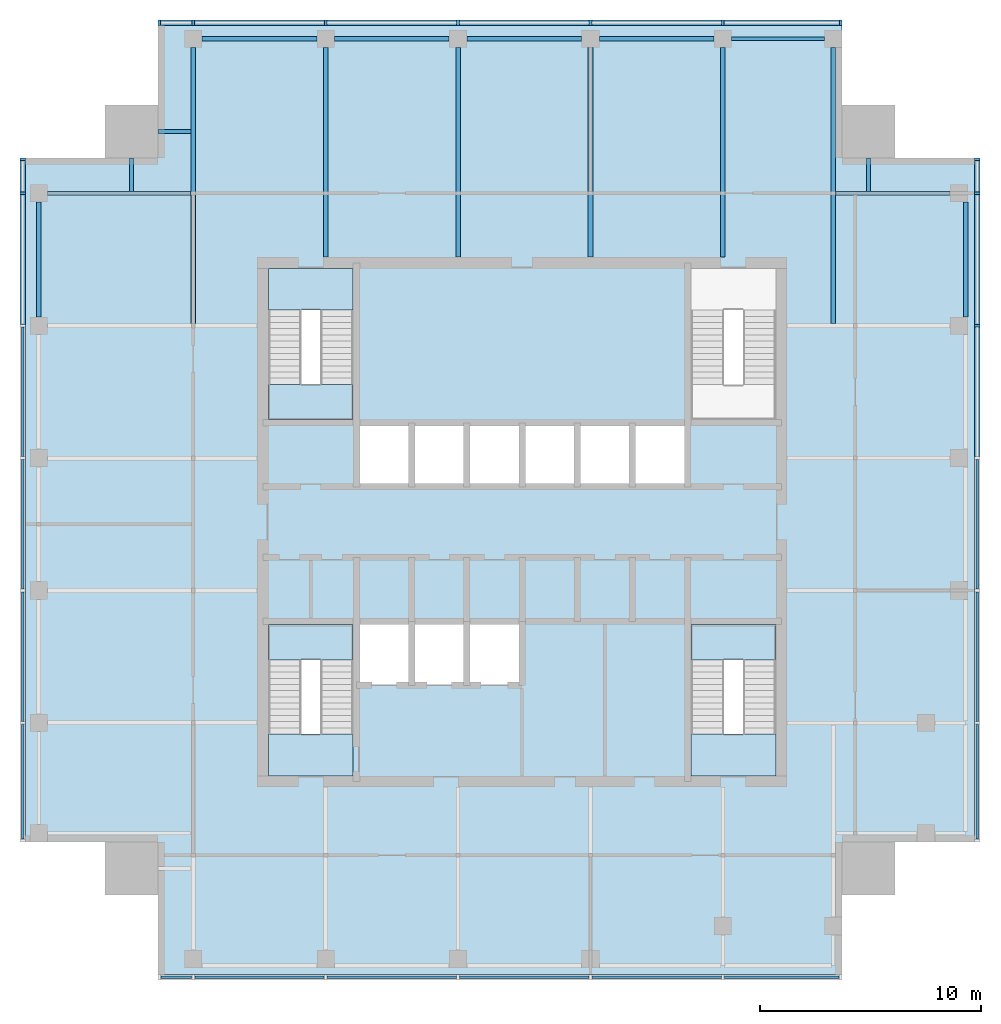
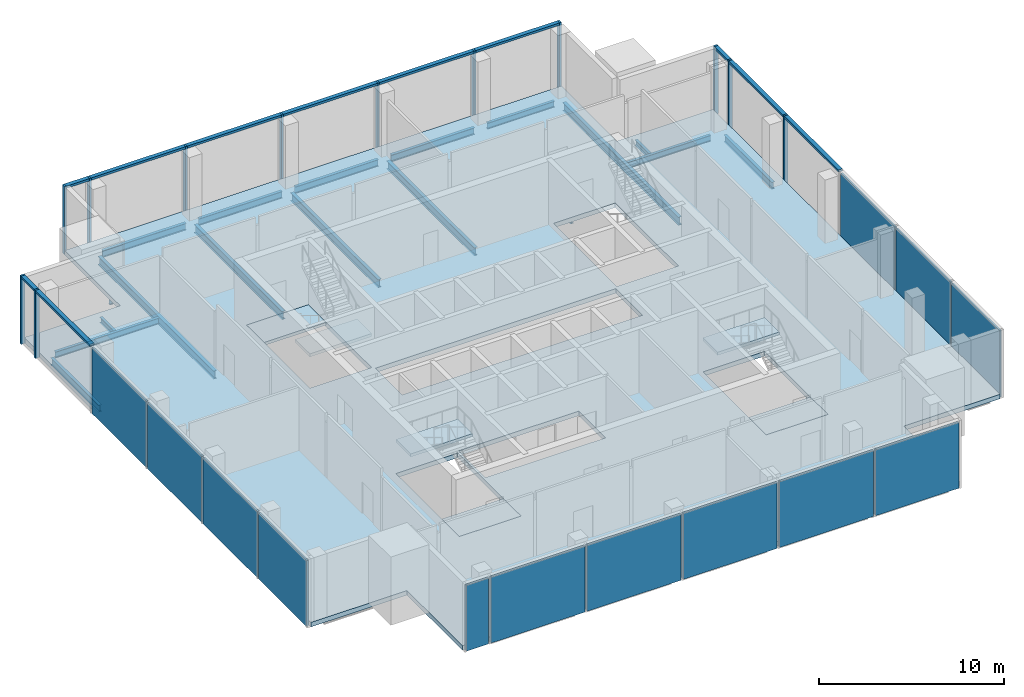
# One storey, part 2 of 7: 23 members, 18 beams, 13 plates, 7 slabs, 7 elements without a shape of their own.
"""IFC4 building model written with IfcOpenShell, lengths in metres."""

from ifc_helpers import new_model, si_unit, direction, frame, origin, origin_2d, place, context, subcontext, project, spatial, polyline, rectangle, i_section, outline, extrude, material, layer, layer_set, material_profile, profile_set, type_object, element, aggregate, save


model = new_model("IFC4")

# Units and contexts
model_context = context("Model", 3, precision=1e-05, world=origin(), true_north=direction((0.0, 1.0)))
body_context = subcontext(model_context, "Body", "Model", "MODEL_VIEW")
ifc_project = project(units=[si_unit("LENGTHUNIT", "METRE"), si_unit("AREAUNIT", "SQUARE_METRE"), si_unit("VOLUMEUNIT", "CUBIC_METRE"), si_unit("PLANEANGLEUNIT", "RADIAN"), si_unit("MASSUNIT", "GRAM", prefix="KILO")], contexts=[model_context])

# Site, building, storey
site_placement = place(None, origin())
site = spatial("IfcSite", under=ifc_project, at=site_placement, CompositionType="ELEMENT")
building_placement = place(site_placement, origin())
building = spatial("IfcBuilding", under=site, at=building_placement, Name="Amberfall Residences", CompositionType="ELEMENT")
storey_placement = place(building_placement, frame((0.0, 0.0, 281.800048828125)))
storey = spatial("IfcBuildingStorey", under=building, at=storey_placement, Name="L76 Crown", CompositionType="ELEMENT", Elevation=281.800048828125)

# Curtain wall, members
ifc_material_1 = material(Name="Bronze anodised aluminium and glass", Category="aluminium")
curtain_wall_type = type_object("IfcCurtainWallType", Name="Curtain wall CW6 crown louvre", PredefinedType="USERDEFINED", material=ifc_material_1)
curtain_wall_1_placement = place(storey_placement, origin())
curtain_wall_1 = element("IfcCurtainWall", 1, at=curtain_wall_1_placement, inside=storey, type_object=curtain_wall_type, Name="Curtain wall L76 Crown E E1", ObjectType="UNITISED CURTAIN WALL", PredefinedType="USERDEFINED")
ifc_material_2 = material(Name="Bronze anodised aluminium", Category="aluminium")
ifc_material_profile_1 = material_profile(ifc_material_2, rectangle(XDim=0.25, YDim=0.1201171875, at=origin_2d()), Name="CW6 mullion 120 x 250 bronze")
ifc_profile_set_1 = profile_set([ifc_material_profile_1], Name="Bronze anodised aluminium")
member_type_1 = type_object("IfcMemberType", Name="CW6 mullion 120 x 250 bronze", PredefinedType="MULLION", material=ifc_profile_set_1)
member_1_placement = place(storey_placement, frame((95.125, 54.39990234375, -0.300048828125), z_axis=(0.0, 0.0, 1.0), x_axis=(-1.0, 0.0, 0.0)))
member_1 = element("IfcMember", 2, at=member_1_placement, type_object=member_type_1, Name="CW6 mullion 5", PredefinedType="MULLION", context=body_context, shape_type="SweptSolid", body=[
    extrude(rectangle(XDim=0.25, YDim=0.1201171875, at=origin_2d()), origin(), (0.0, 0.0, 1.0), 4.5),
])
member_2_placement = place(storey_placement, frame((95.125, 60.39990234375, -0.300048828125), z_axis=(0.0, 0.0, 1.0), x_axis=(-1.0, 0.0, 0.0)))
member_2 = element("IfcMember", 3, at=member_2_placement, type_object=member_type_1, Name="CW6 mullion 6", PredefinedType="MULLION", context=body_context, shape_type="SweptSolid", body=[
    extrude(rectangle(XDim=0.25, YDim=0.1201171875, at=origin_2d()), origin(), (0.0, 0.0, 1.0), 4.5),
])
member_3_placement = place(storey_placement, frame((95.125, 61.93994140625, -0.300048828125), z_axis=(0.0, 0.0, 1.0), x_axis=(-1.0, 0.0, 0.0)))
member_3 = element("IfcMember", 4, at=member_3_placement, type_object=member_type_1, Name="CW6 mullion 7", PredefinedType="MULLION", context=body_context, shape_type="SweptSolid", body=[
    extrude(rectangle(XDim=0.25, YDim=0.1201171875, at=origin_2d()), origin(), (0.0, 0.0, 1.0), 4.5),
])

curtain_wall_2_placement = place(storey_placement, origin())
curtain_wall_2 = element("IfcCurtainWall", 5, at=curtain_wall_2_placement, inside=storey, type_object=curtain_wall_type, Name="Curtain wall L76 Crown N N1", ObjectType="UNITISED CURTAIN WALL", PredefinedType="USERDEFINED")
member_4_placement = place(storey_placement, frame((88.93994140625, 68.125, -0.300048828125), z_axis=(0.0, 0.0, 1.0), x_axis=(0.0, -1.0, 0.0)))
member_4 = element("IfcMember", 6, at=member_4_placement, type_object=member_type_1, Name="CW6 mullion 1", PredefinedType="MULLION", context=body_context, shape_type="SweptSolid", body=[
    extrude(rectangle(XDim=0.25, YDim=0.1201171875, at=origin_2d()), origin(), (0.0, 0.0, 1.0), 4.5),
])
member_5_placement = place(storey_placement, frame((83.60009765625, 68.125, -0.300048828125), z_axis=(0.0, 0.0, 1.0), x_axis=(0.0, -1.0, 0.0)))
member_5 = element("IfcMember", 7, at=member_5_placement, type_object=member_type_1, Name="CW6 mullion 2", PredefinedType="MULLION", context=body_context, shape_type="SweptSolid", body=[
    extrude(rectangle(XDim=0.25, YDim=0.1201171875, at=origin_2d()), origin(), (0.0, 0.0, 1.0), 4.5),
])
member_6_placement = place(storey_placement, frame((77.60009765625, 68.125, -0.300048828125), z_axis=(0.0, 0.0, 1.0), x_axis=(0.0, -1.0, 0.0)))
member_6 = element("IfcMember", 8, at=member_6_placement, type_object=member_type_1, Name="CW6 mullion 3", PredefinedType="MULLION", context=body_context, shape_type="SweptSolid", body=[
    extrude(rectangle(XDim=0.25, YDim=0.1201171875, at=origin_2d()), origin(), (0.0, 0.0, 1.0), 4.5),
])
member_7_placement = place(storey_placement, frame((71.60009765625, 68.125, -0.300048828125), z_axis=(0.0, 0.0, 1.0), x_axis=(0.0, -1.0, 0.0)))
member_7 = element("IfcMember", 9, at=member_7_placement, type_object=member_type_1, Name="CW6 mullion 4", PredefinedType="MULLION", context=body_context, shape_type="SweptSolid", body=[
    extrude(rectangle(XDim=0.25, YDim=0.1201171875, at=origin_2d()), origin(), (0.0, 0.0, 1.0), 4.5),
])
member_8_placement = place(storey_placement, frame((65.60009765625, 68.125, -0.300048828125), z_axis=(0.0, 0.0, 1.0), x_axis=(0.0, -1.0, 0.0)))
member_8 = element("IfcMember", 10, at=member_8_placement, type_object=member_type_1, Name="CW6 mullion 5", PredefinedType="MULLION", context=body_context, shape_type="SweptSolid", body=[
    extrude(rectangle(XDim=0.25, YDim=0.1201171875, at=origin_2d()), origin(), (0.0, 0.0, 1.0), 4.5),
])
member_9_placement = place(storey_placement, frame((59.60009765625, 68.125, -0.300048828125), z_axis=(0.0, 0.0, 1.0), x_axis=(0.0, -1.0, 0.0)))
member_9 = element("IfcMember", 11, at=member_9_placement, type_object=member_type_1, Name="CW6 mullion 6", PredefinedType="MULLION", context=body_context, shape_type="SweptSolid", body=[
    extrude(rectangle(XDim=0.25, YDim=0.1201171875, at=origin_2d()), origin(), (0.0, 0.0, 1.0), 4.5),
])
member_10_placement = place(storey_placement, frame((58.06005859375, 68.125, -0.300048828125), z_axis=(0.0, 0.0, 1.0), x_axis=(0.0, -1.0, 0.0)))
member_10 = element("IfcMember", 12, at=member_10_placement, type_object=member_type_1, Name="CW6 mullion 7", PredefinedType="MULLION", context=body_context, shape_type="SweptSolid", body=[
    extrude(rectangle(XDim=0.25, YDim=0.1201171875, at=origin_2d()), origin(), (0.0, 0.0, 1.0), 4.5),
])

curtain_wall_3_placement = place(storey_placement, origin())
curtain_wall_3 = element("IfcCurtainWall", 13, at=curtain_wall_3_placement, inside=storey, type_object=curtain_wall_type, Name="Curtain wall L76 Crown W W1", ObjectType="UNITISED CURTAIN WALL", PredefinedType="USERDEFINED")
member_11_placement = place(storey_placement, frame((51.875, 61.93994140625, -0.300048828125), z_axis=(0.0, 0.0, 1.0), x_axis=(1.0, 0.0, 0.0)))
member_11 = element("IfcMember", 14, at=member_11_placement, type_object=member_type_1, Name="CW6 mullion 1", PredefinedType="MULLION", context=body_context, shape_type="SweptSolid", body=[
    extrude(rectangle(XDim=0.25, YDim=0.1201171875, at=origin_2d()), origin(), (0.0, 0.0, 1.0), 4.5),
])
member_12_placement = place(storey_placement, frame((51.875, 60.39990234375, -0.300048828125), z_axis=(0.0, 0.0, 1.0), x_axis=(1.0, 0.0, 0.0)))
member_12 = element("IfcMember", 15, at=member_12_placement, type_object=member_type_1, Name="CW6 mullion 2", PredefinedType="MULLION", context=body_context, shape_type="SweptSolid", body=[
    extrude(rectangle(XDim=0.25, YDim=0.1201171875, at=origin_2d()), origin(), (0.0, 0.0, 1.0), 4.5),
])

# Member
ifc_material_profile_2 = material_profile(ifc_material_2, rectangle(XDim=0.25, YDim=0.14990234375, at=origin_2d()), Name="CW6 transom 250 x 150 bronze")
ifc_profile_set_2 = profile_set([ifc_material_profile_2], Name="Bronze anodised aluminium")
member_type_2 = type_object("IfcMemberType", Name="CW6 transom 250 x 150 bronze", PredefinedType="USERDEFINED", material=ifc_profile_set_2)
member_13_placement = place(storey_placement, frame((95.125, 48.4599609375, 4.125), z_axis=(0.0, 1.0, 0.0), x_axis=(-1.0, 0.0, 0.0)))
member_13 = element("IfcMember", 16, at=member_13_placement, type_object=member_type_2, Name="CW6 transom 4.1", ObjectType="TRANSOM", PredefinedType="USERDEFINED", context=body_context, shape_type="SweptSolid", body=[
    extrude(rectangle(XDim=0.25, YDim=0.14990234375, at=origin_2d()), origin(), (0.0, 0.0, 1.0), 5.880126953125),
])

member_14_placement = place(storey_placement, frame((95.125, 54.4599609375, 4.125), z_axis=(0.0, 1.0, 0.0), x_axis=(-1.0, 0.0, 0.0)))
member_14 = element("IfcMember", 17, at=member_14_placement, type_object=member_type_2, Name="CW6 transom 5.1", ObjectType="TRANSOM", PredefinedType="USERDEFINED", context=body_context, shape_type="SweptSolid", body=[
    extrude(rectangle(XDim=0.25, YDim=0.14990234375, at=origin_2d()), origin(), (0.0, 0.0, 1.0), 5.880126953125),
])

member_15_placement = place(storey_placement, frame((95.125, 60.4599609375, 4.125), z_axis=(0.0, 1.0, 0.0), x_axis=(-1.0, 0.0, 0.0)))
member_15 = element("IfcMember", 18, at=member_15_placement, type_object=member_type_2, Name="CW6 transom 6.1", ObjectType="TRANSOM", PredefinedType="USERDEFINED", context=body_context, shape_type="SweptSolid", body=[
    extrude(rectangle(XDim=0.25, YDim=0.14990234375, at=origin_2d()), origin(), (0.0, 0.0, 1.0), 1.419921875),
])

member_16_placement = place(storey_placement, frame((88.8798828125, 68.125, 4.125), z_axis=(-1.0, 0.0, 0.0), x_axis=(0.0, -1.0, 0.0)))
member_16 = element("IfcMember", 19, at=member_16_placement, type_object=member_type_2, Name="CW6 transom 1.1", ObjectType="TRANSOM", PredefinedType="USERDEFINED", context=body_context, shape_type="SweptSolid", body=[
    extrude(rectangle(XDim=0.25, YDim=0.14990234375, at=origin_2d()), origin(), (0.0, 0.0, 1.0), 5.219970703125),
])

member_17_placement = place(storey_placement, frame((83.5400390625, 68.125, 4.125), z_axis=(-1.0, 0.0, 0.0), x_axis=(0.0, -1.0, 0.0)))
member_17 = element("IfcMember", 20, at=member_17_placement, type_object=member_type_2, Name="CW6 transom 2.1", ObjectType="TRANSOM", PredefinedType="USERDEFINED", context=body_context, shape_type="SweptSolid", body=[
    extrude(rectangle(XDim=0.25, YDim=0.14990234375, at=origin_2d()), origin(), (0.0, 0.0, 1.0), 5.880126953125),
])

member_18_placement = place(storey_placement, frame((77.5400390625, 68.125, 4.125), z_axis=(-1.0, 0.0, 0.0), x_axis=(0.0, -1.0, 0.0)))
member_18 = element("IfcMember", 21, at=member_18_placement, type_object=member_type_2, Name="CW6 transom 3.1", ObjectType="TRANSOM", PredefinedType="USERDEFINED", context=body_context, shape_type="SweptSolid", body=[
    extrude(rectangle(XDim=0.25, YDim=0.14990234375, at=origin_2d()), origin(), (0.0, 0.0, 1.0), 5.880126953125),
])

member_19_placement = place(storey_placement, frame((71.5400390625, 68.125, 4.125), z_axis=(-1.0, 0.0, 0.0), x_axis=(0.0, -1.0, 0.0)))
member_19 = element("IfcMember", 22, at=member_19_placement, type_object=member_type_2, Name="CW6 transom 4.1", ObjectType="TRANSOM", PredefinedType="USERDEFINED", context=body_context, shape_type="SweptSolid", body=[
    extrude(rectangle(XDim=0.25, YDim=0.14990234375, at=origin_2d()), origin(), (0.0, 0.0, 1.0), 5.880126953125),
])

member_20_placement = place(storey_placement, frame((65.5400390625, 68.125, 4.125), z_axis=(-1.0, 0.0, 0.0), x_axis=(0.0, -1.0, 0.0)))
member_20 = element("IfcMember", 23, at=member_20_placement, type_object=member_type_2, Name="CW6 transom 5.1", ObjectType="TRANSOM", PredefinedType="USERDEFINED", context=body_context, shape_type="SweptSolid", body=[
    extrude(rectangle(XDim=0.25, YDim=0.14990234375, at=origin_2d()), origin(), (0.0, 0.0, 1.0), 5.880126953125),
])

member_21_placement = place(storey_placement, frame((59.5400390625, 68.125, 4.125), z_axis=(-1.0, 0.0, 0.0), x_axis=(0.0, -1.0, 0.0)))
member_21 = element("IfcMember", 24, at=member_21_placement, type_object=member_type_2, Name="CW6 transom 6.1", ObjectType="TRANSOM", PredefinedType="USERDEFINED", context=body_context, shape_type="SweptSolid", body=[
    extrude(rectangle(XDim=0.25, YDim=0.14990234375, at=origin_2d()), origin(), (0.0, 0.0, 1.0), 1.419921875),
])

aggregate(curtain_wall_2, [member_4, member_5, member_6, member_7, member_8, member_9, member_10, member_16, member_17, member_18, member_19, member_20, member_21])

member_22_placement = place(storey_placement, frame((51.875, 61.8798828125, 4.125), z_axis=(0.0, -1.0, 0.0), x_axis=(1.0, 0.0, 0.0)))
member_22 = element("IfcMember", 25, at=member_22_placement, type_object=member_type_2, Name="CW6 transom 1.1", ObjectType="TRANSOM", PredefinedType="USERDEFINED", context=body_context, shape_type="SweptSolid", body=[
    extrude(rectangle(XDim=0.25, YDim=0.14990234375, at=origin_2d()), origin(), (0.0, 0.0, 1.0), 1.419921875),
])

member_23_placement = place(storey_placement, frame((51.875, 60.340087890625, 4.125), z_axis=(0.0, -1.0, 0.0), x_axis=(1.0, 0.0, 0.0)))
member_23 = element("IfcMember", 26, at=member_23_placement, type_object=member_type_2, Name="CW6 transom 2.1", ObjectType="TRANSOM", PredefinedType="USERDEFINED", context=body_context, shape_type="SweptSolid", body=[
    extrude(rectangle(XDim=0.25, YDim=0.14990234375, at=origin_2d()), origin(), (0.0, 0.0, 1.0), 5.880126953125),
])

# Beams
ifc_material_3 = material(Name="Steel S355", Category="steel")
ifc_material_profile_3 = material_profile(ifc_material_3, i_section(OverallWidth=0.177734375, OverallDepth=0.402587890625, WebThickness=0.0078125, FlangeThickness=0.010986328125, FilletRadius=0.01025390625, at=origin_2d()), Name="UB 406x178x54")
ifc_profile_set_3 = profile_set([ifc_material_profile_3], Name="Steel S355")
beam_type_1 = type_object("IfcBeamType", Name="Edge beam UB 406x178x54", PredefinedType="SPANDREL", material=ifc_profile_set_3)
beam_1_placement = place(storey_placement, frame((84.0, 67.39990234375, -0.50146484375), z_axis=(1.0, 0.0, 0.0), x_axis=(0.0, 1.0, 0.0)))
element("IfcBeam", 27, at=beam_1_placement, inside=storey, type_object=beam_type_1, Name="Edge beam B14 L76 Crown 31", PredefinedType="SPANDREL", context=body_context, shape_type="SweptSolid", body=[
    extrude(i_section(OverallWidth=0.177734375, OverallDepth=0.402587890625, WebThickness=0.0078125, FlangeThickness=0.010986328125, FilletRadius=0.01025390625, at=origin_2d()), origin(), (0.0, 0.0, 1.0), 4.199951171875),
])
ifc_material_profile_4 = material_profile(ifc_material_3, i_section(OverallWidth=0.18994140625, OverallDepth=0.453369140625, WebThickness=0.008544921875, FlangeThickness=0.0126953125, FilletRadius=0.01025390625, at=origin_2d()), Name="UB 457x191x67")
ifc_profile_set_4 = profile_set([ifc_material_profile_4], Name="Steel S355")
beam_type_2 = type_object("IfcBeamType", Name="Edge beam UB 457x191x67", PredefinedType="SPANDREL", material=ifc_profile_set_4)
for number, where, z_axis, x_axis, name in (
    (28, (94.60009765625, 54.800048828125, -0.52685546875), (0.0, 1.0, 0.0), (-1.0, 0.0, 0.0), "Edge beam B1 L76 Crown 18"),
    (29, (60.0, 67.39990234375, -0.52685546875), (1.0, 0.0, 0.0), (0.0, 1.0, 0.0), "Edge beam B1 L76 Crown 27"),
    (30, (66.0, 67.39990234375, -0.52685546875), (1.0, 0.0, 0.0), (0.0, 1.0, 0.0), "Edge beam B1 L76 Crown 28"),
    (31, (72.0, 67.39990234375, -0.52685546875), (1.0, 0.0, 0.0), (0.0, 1.0, 0.0), "Edge beam B1 L76 Crown 29"),
    (32, (78.0, 67.39990234375, -0.52685546875), (1.0, 0.0, 0.0), (0.0, 1.0, 0.0), "Edge beam B1 L76 Crown 30"),
    (33, (52.60009765625, 54.800048828125, -0.52685546875), (0.0, 1.0, 0.0), (-1.0, 0.0, 0.0), "Edge beam B1 L76 Crown 42"),
):
    element("IfcBeam", number, at=place(storey_placement, frame(where, z_axis=z_axis, x_axis=x_axis)), inside=storey, type_object=beam_type_2, Name=name, PredefinedType="SPANDREL", context=body_context, shape_type="SweptSolid", body=[
        extrude(i_section(OverallWidth=0.18994140625, OverallDepth=0.453369140625, WebThickness=0.008544921875, FlangeThickness=0.0126953125, FilletRadius=0.01025390625, at=origin_2d()), origin(), (0.0, 0.0, 1.0), 5.199951171875),
    ])
ifc_material_profile_5 = material_profile(ifc_material_3, i_section(OverallWidth=0.177734375, OverallDepth=0.402587890625, WebThickness=0.0078125, FlangeThickness=0.010986328125, FilletRadius=0.01025390625, at=origin_2d()), Name="UB 406x178x54")
ifc_profile_set_5 = profile_set([ifc_material_profile_5], Name="Steel S355")
beam_type_3 = type_object("IfcBeamType", Name="Floor girder UB 406x178x54", PredefinedType="BEAM", material=ifc_profile_set_5)
beam_2_placement = place(storey_placement, frame((93.89990234375, 60.39990234375, -0.50146484375), z_axis=(-1.0, 0.0, 0.0), x_axis=(0.0, -1.0, 0.0)))
element("IfcBeam", 34, at=beam_2_placement, inside=storey, type_object=beam_type_3, Name="Floor girder B4 L76 Crown 26", PredefinedType="BEAM", context=body_context, shape_type="SweptSolid", body=[
    extrude(i_section(OverallWidth=0.177734375, OverallDepth=0.402587890625, WebThickness=0.0078125, FlangeThickness=0.010986328125, FilletRadius=0.01025390625, at=origin_2d()), origin(), (0.0, 0.0, 1.0), 5.179931640625),
])
beam_3_placement = place(storey_placement, frame((53.0, 60.39990234375, -0.50146484375), z_axis=(1.0, 0.0, 0.0), x_axis=(0.0, 1.0, 0.0)))
element("IfcBeam", 35, at=beam_3_placement, inside=storey, type_object=beam_type_3, Name="Floor girder B4 L76 Crown 48", PredefinedType="BEAM", context=body_context, shape_type="SweptSolid", body=[
    extrude(i_section(OverallWidth=0.177734375, OverallDepth=0.402587890625, WebThickness=0.0078125, FlangeThickness=0.010986328125, FilletRadius=0.01025390625, at=origin_2d()), origin(), (0.0, 0.0, 1.0), 6.47998046875),
])
ifc_material_profile_6 = material_profile(ifc_material_3, i_section(OverallWidth=0.210693359375, OverallDepth=0.53955078125, WebThickness=0.01171875, FlangeThickness=0.018798828125, FilletRadius=0.0126953125, at=origin_2d()), Name="UB 533x210x109")
ifc_profile_set_6 = profile_set([ifc_material_profile_6], Name="Steel S355")
beam_type_4 = type_object("IfcBeamType", Name="Floor girder UB 533x210x109", PredefinedType="BEAM", material=ifc_profile_set_6)
beam_4_placement = place(storey_placement, frame((59.60009765625, 67.0, -0.56982421875), z_axis=(0.0, -1.0, 0.0), x_axis=(1.0, 0.0, 0.0)))
element("IfcBeam", 36, at=beam_4_placement, inside=storey, type_object=beam_type_4, Name="Floor girder B2 L76 Crown 32", PredefinedType="BEAM", context=body_context, shape_type="SweptSolid", body=[
    extrude(i_section(OverallWidth=0.210693359375, OverallDepth=0.53955078125, WebThickness=0.01171875, FlangeThickness=0.018798828125, FilletRadius=0.0126953125, at=origin_2d()), origin(), (0.0, 0.0, 1.0), 12.50048828125),
])
beam_5_placement = place(storey_placement, frame((88.60009765625, 67.0, -0.56982421875), z_axis=(0.0, -1.0, 0.0), x_axis=(1.0, 0.0, 0.0)))
element("IfcBeam", 37, at=beam_5_placement, inside=storey, type_object=beam_type_4, Name="Floor girder B2 L76 Crown 37", PredefinedType="BEAM", context=body_context, shape_type="SweptSolid", body=[
    extrude(i_section(OverallWidth=0.210693359375, OverallDepth=0.53955078125, WebThickness=0.01171875, FlangeThickness=0.018798828125, FilletRadius=0.0126953125, at=origin_2d()), origin(), (0.0, 0.0, 1.0), 12.509521484375),
])
ifc_material_profile_7 = material_profile(ifc_material_3, i_section(OverallWidth=0.209228515625, OverallDepth=0.533203125, WebThickness=0.010009765625, FlangeThickness=0.015625, FilletRadius=0.0126953125, at=origin_2d()), Name="UB 533x210x92")
ifc_profile_set_7 = profile_set([ifc_material_profile_7], Name="Steel S355")
beam_type_5 = type_object("IfcBeamType", Name="Floor girder UB 533x210x92", PredefinedType="BEAM", material=ifc_profile_set_7)
for number, where, z_axis, x_axis, name in (
    (38, (65.60009765625, 67.0, -0.566650390625), (0.0, -1.0, 0.0), (1.0, 0.0, 0.0), "Floor girder B3 L76 Crown 33"),
    (39, (71.60009765625, 67.0, -0.566650390625), (0.0, -1.0, 0.0), (1.0, 0.0, 0.0), "Floor girder B3 L76 Crown 34"),
    (40, (77.60009765625, 67.0, -0.566650390625), (0.0, -1.0, 0.0), (1.0, 0.0, 0.0), "Floor girder B3 L76 Crown 35"),
    (41, (83.60009765625, 67.0, -0.566650390625), (0.0, -1.0, 0.0), (1.0, 0.0, 0.0), "Floor girder B3 L76 Crown 36"),
):
    element("IfcBeam", number, at=place(storey_placement, frame(where, z_axis=z_axis, x_axis=x_axis)), inside=storey, type_object=beam_type_5, Name=name, PredefinedType="BEAM", context=body_context, shape_type="SweptSolid", body=[
        extrude(i_section(OverallWidth=0.209228515625, OverallDepth=0.533203125, WebThickness=0.010009765625, FlangeThickness=0.015625, FilletRadius=0.0126953125, at=origin_2d()), origin(), (0.0, 0.0, 1.0), 9.5),
    ])
ifc_material_profile_8 = material_profile(ifc_material_3, i_section(OverallWidth=0.171142578125, OverallDepth=0.351318359375, WebThickness=0.007080078125, FlangeThickness=0.009765625, FilletRadius=0.01025390625, at=origin_2d()), Name="UB 356x171x45")
ifc_profile_set_8 = profile_set([ifc_material_profile_8], Name="Steel S355")
beam_type_6 = type_object("IfcBeamType", Name="Link beam UB 356x171x45", PredefinedType="BEAM", material=ifc_profile_set_8)
beam_6_placement = place(storey_placement, frame((90.199951171875, 62.0, -0.475830078125), z_axis=(0.0, -1.0, 0.0), x_axis=(1.0, 0.0, 0.0)))
element("IfcBeam", 42, at=beam_6_placement, inside=storey, type_object=beam_type_6, Name="Link beam B7 L76 Crown 50", PredefinedType="BEAM", context=body_context, shape_type="SweptSolid", body=[
    extrude(i_section(OverallWidth=0.171142578125, OverallDepth=0.351318359375, WebThickness=0.007080078125, FlangeThickness=0.009765625, FilletRadius=0.01025390625, at=origin_2d()), origin(), (0.0, 0.0, 1.0), 1.52099609375),
])
beam_7_placement = place(storey_placement, frame((58.0, 63.199951171875, -0.475830078125), z_axis=(1.0, 0.0, 0.0), x_axis=(0.0, 1.0, 0.0)))
element("IfcBeam", 43, at=beam_7_placement, inside=storey, type_object=beam_type_6, Name="Link beam B7 L76 Crown 51", PredefinedType="BEAM", context=body_context, shape_type="SweptSolid", body=[
    extrude(i_section(OverallWidth=0.171142578125, OverallDepth=0.351318359375, WebThickness=0.007080078125, FlangeThickness=0.009765625, FilletRadius=0.01025390625, at=origin_2d()), origin(), (0.0, 0.0, 1.0), 1.504638671875),
])
beam_8_placement = place(storey_placement, frame((56.800048828125, 62.0, -0.475830078125), z_axis=(0.0, -1.0, 0.0), x_axis=(1.0, 0.0, 0.0)))
element("IfcBeam", 44, at=beam_8_placement, inside=storey, type_object=beam_type_6, Name="Link beam B7 L76 Crown 52", PredefinedType="BEAM", context=body_context, shape_type="SweptSolid", body=[
    extrude(i_section(OverallWidth=0.171142578125, OverallDepth=0.351318359375, WebThickness=0.007080078125, FlangeThickness=0.009765625, FilletRadius=0.01025390625, at=origin_2d()), origin(), (0.0, 0.0, 1.0), 1.52099609375),
])

# Curtain wall, plates
curtain_wall_4_placement = place(storey_placement, origin())
curtain_wall_4 = element("IfcCurtainWall", 45, at=curtain_wall_4_placement, inside=storey, type_object=curtain_wall_type, Name="Curtain wall L76 Crown S S1", ObjectType="UNITISED CURTAIN WALL", PredefinedType="USERDEFINED")
ifc_material_4 = material(Name="Bronze aluminium louvre", Category="aluminium")
ifc_layer_1 = layer(ifc_material_4, 0.1201171875)
ifc_layer_set_1 = layer_set([ifc_layer_1], Name="CW6 panel 120 louvre")
plate_type = type_object("IfcPlateType", Name="CW6 panel 120 louvre", PredefinedType="CURTAIN_PANEL", material=ifc_layer_set_1)
plate_1_placement = place(storey_placement, frame((58.830078125, 24.875, -0.300048828125), z_axis=(0.0, 0.0, 1.0), x_axis=(1.0, 0.0, 0.0)))
plate_1 = element("IfcPlate", 46, at=plate_1_placement, type_object=plate_type, Name="CW6 panel 1.1", PredefinedType="CURTAIN_PANEL", context=body_context, shape_type="SweptSolid", body=[
    extrude(rectangle(XDim=1.39599609375, YDim=0.1201171875, at=origin_2d()), origin(), (0.0, 0.0, 1.0), 4.35009765625),
])
plate_2_placement = place(storey_placement, frame((62.60009765625, 24.875, -0.300048828125), z_axis=(0.0, 0.0, 1.0), x_axis=(1.0, 0.0, 0.0)))
plate_2 = element("IfcPlate", 47, at=plate_2_placement, type_object=plate_type, Name="CW6 panel 2.1", PredefinedType="CURTAIN_PANEL", context=body_context, shape_type="SweptSolid", body=[
    extrude(rectangle(XDim=5.85595703125, YDim=0.1201171875, at=origin_2d()), origin(), (0.0, 0.0, 1.0), 4.35009765625),
])
plate_3_placement = place(storey_placement, frame((68.60009765625, 24.875, -0.300048828125), z_axis=(0.0, 0.0, 1.0), x_axis=(1.0, 0.0, 0.0)))
plate_3 = element("IfcPlate", 48, at=plate_3_placement, type_object=plate_type, Name="CW6 panel 3.1", PredefinedType="CURTAIN_PANEL", context=body_context, shape_type="SweptSolid", body=[
    extrude(rectangle(XDim=5.85595703125, YDim=0.1201171875, at=origin_2d()), origin(), (0.0, 0.0, 1.0), 4.35009765625),
])
plate_4_placement = place(storey_placement, frame((74.60009765625, 24.875, -0.300048828125), z_axis=(0.0, 0.0, 1.0), x_axis=(1.0, 0.0, 0.0)))
plate_4 = element("IfcPlate", 49, at=plate_4_placement, type_object=plate_type, Name="CW6 panel 4.1", PredefinedType="CURTAIN_PANEL", context=body_context, shape_type="SweptSolid", body=[
    extrude(rectangle(XDim=5.85595703125, YDim=0.1201171875, at=origin_2d()), origin(), (0.0, 0.0, 1.0), 4.35009765625),
])
plate_5_placement = place(storey_placement, frame((80.60009765625, 24.875, -0.300048828125), z_axis=(0.0, 0.0, 1.0), x_axis=(1.0, 0.0, 0.0)))
plate_5 = element("IfcPlate", 50, at=plate_5_placement, type_object=plate_type, Name="CW6 panel 5.1", PredefinedType="CURTAIN_PANEL", context=body_context, shape_type="SweptSolid", body=[
    extrude(rectangle(XDim=5.85595703125, YDim=0.1201171875, at=origin_2d()), origin(), (0.0, 0.0, 1.0), 4.35009765625),
])
plate_6_placement = place(storey_placement, frame((86.27001953125, 24.875, -0.300048828125), z_axis=(0.0, 0.0, 1.0), x_axis=(1.0, 0.0, 0.0)))
plate_6 = element("IfcPlate", 51, at=plate_6_placement, type_object=plate_type, Name="CW6 panel 6.1", PredefinedType="CURTAIN_PANEL", context=body_context, shape_type="SweptSolid", body=[
    extrude(rectangle(XDim=5.196044921875, YDim=0.1201171875, at=origin_2d()), origin(), (0.0, 0.0, 1.0), 4.35009765625),
])
aggregate(curtain_wall_4, [plate_1, plate_2, plate_3, plate_4, plate_5, plate_6])

# Plate
plate_7_placement = place(storey_placement, frame((95.125, 33.72998046875, -0.300048828125), z_axis=(0.0, 0.0, 1.0), x_axis=(0.0, 1.0, 0.0)))
plate_7 = element("IfcPlate", 52, at=plate_7_placement, type_object=plate_type, Name="CW6 panel 1.1", PredefinedType="CURTAIN_PANEL", context=body_context, shape_type="SweptSolid", body=[
    extrude(rectangle(XDim=5.196044921875, YDim=0.1201171875, at=origin_2d()), origin(), (0.0, 0.0, 1.0), 4.35009765625),
])

plate_8_placement = place(storey_placement, frame((95.125, 39.39990234375, -0.300048828125), z_axis=(0.0, 0.0, 1.0), x_axis=(0.0, 1.0, 0.0)))
plate_8 = element("IfcPlate", 53, at=plate_8_placement, type_object=plate_type, Name="CW6 panel 2.1", PredefinedType="CURTAIN_PANEL", context=body_context, shape_type="SweptSolid", body=[
    extrude(rectangle(XDim=5.85595703125, YDim=0.1201171875, at=origin_2d()), origin(), (0.0, 0.0, 1.0), 4.35009765625),
])

plate_9_placement = place(storey_placement, frame((95.125, 45.39990234375, -0.300048828125), z_axis=(0.0, 0.0, 1.0), x_axis=(0.0, 1.0, 0.0)))
plate_9 = element("IfcPlate", 54, at=plate_9_placement, type_object=plate_type, Name="CW6 panel 3.1", PredefinedType="CURTAIN_PANEL", context=body_context, shape_type="SweptSolid", body=[
    extrude(rectangle(XDim=5.85595703125, YDim=0.1201171875, at=origin_2d()), origin(), (0.0, 0.0, 1.0), 4.35009765625),
])

aggregate(curtain_wall_1, [member_1, member_2, member_3, plate_7, plate_8, plate_9, member_13, member_14, member_15])

plate_10_placement = place(storey_placement, frame((51.875, 51.39990234375, -0.300048828125), z_axis=(0.0, 0.0, 1.0), x_axis=(0.0, -1.0, 0.0)))
plate_10 = element("IfcPlate", 55, at=plate_10_placement, type_object=plate_type, Name="CW6 panel 3.1", PredefinedType="CURTAIN_PANEL", context=body_context, shape_type="SweptSolid", body=[
    extrude(rectangle(XDim=5.85595703125, YDim=0.1201171875, at=origin_2d()), origin(), (0.0, 0.0, 1.0), 4.35009765625),
])

plate_11_placement = place(storey_placement, frame((51.875, 45.39990234375, -0.300048828125), z_axis=(0.0, 0.0, 1.0), x_axis=(0.0, -1.0, 0.0)))
plate_11 = element("IfcPlate", 56, at=plate_11_placement, type_object=plate_type, Name="CW6 panel 4.1", PredefinedType="CURTAIN_PANEL", context=body_context, shape_type="SweptSolid", body=[
    extrude(rectangle(XDim=5.85595703125, YDim=0.1201171875, at=origin_2d()), origin(), (0.0, 0.0, 1.0), 4.35009765625),
])

plate_12_placement = place(storey_placement, frame((51.875, 39.39990234375, -0.300048828125), z_axis=(0.0, 0.0, 1.0), x_axis=(0.0, -1.0, 0.0)))
plate_12 = element("IfcPlate", 57, at=plate_12_placement, type_object=plate_type, Name="CW6 panel 5.1", PredefinedType="CURTAIN_PANEL", context=body_context, shape_type="SweptSolid", body=[
    extrude(rectangle(XDim=5.85595703125, YDim=0.1201171875, at=origin_2d()), origin(), (0.0, 0.0, 1.0), 4.35009765625),
])

plate_13_placement = place(storey_placement, frame((51.875, 33.72998046875, -0.300048828125), z_axis=(0.0, 0.0, 1.0), x_axis=(0.0, -1.0, 0.0)))
plate_13 = element("IfcPlate", 58, at=plate_13_placement, type_object=plate_type, Name="CW6 panel 6.1", PredefinedType="CURTAIN_PANEL", context=body_context, shape_type="SweptSolid", body=[
    extrude(rectangle(XDim=5.196044921875, YDim=0.1201171875, at=origin_2d()), origin(), (0.0, 0.0, 1.0), 4.35009765625),
])

aggregate(curtain_wall_3, [member_11, member_12, member_22, member_23, plate_10, plate_11, plate_12, plate_13])

# Slab
ifc_material_5 = material(Name="Concrete C50", Category="concrete")
ifc_layer_2 = layer(ifc_material_5, 0.300048828125)
ifc_layer_set_2 = layer_set([ifc_layer_2], Name="Crown floor slab 300 C50")
slab_type_1 = type_object("IfcSlabType", Name="Crown floor slab 300 C50", PredefinedType="FLOOR", material=ifc_layer_set_2)
slab_1_placement = place(storey_placement, frame((0.0, 0.0, -0.300048828125)))
element("IfcSlab", 59, at=slab_1_placement, inside=storey, type_object=slab_type_1, Name="Floor slab S22 L76 Crown", PredefinedType="FLOOR", context=body_context, shape_type="SweptSolid", body=[
    extrude(outline(polyline([(89.0, 25.0), (58.0, 25.0), (58.0, 31.0), (52.0, 31.0), (52.0, 62.0), (58.0, 62.0), (58.0, 68.0), (89.0, 68.0), (89.0, 62.0), (95.0, 62.0), (95.0, 31.0), (89.0, 31.0), (89.0, 25.0)]), holes=[polyline([(86.0, 34.0), (86.0, 40.85009765625), (82.14990234375, 40.85009765625), (82.14990234375, 34.0), (86.0, 34.0)]), polyline([(86.0, 50.14990234375), (86.0, 57.0), (82.14990234375, 57.0), (82.14990234375, 50.14990234375), (86.0, 50.14990234375)]), polyline([(67.0, 50.0), (67.0, 47.10009765625), (69.5, 47.10009765625), (72.0, 47.10009765625), (74.5, 47.10009765625), (77.0, 47.10009765625), (79.5, 47.10009765625), (82.0, 47.10009765625), (82.0, 50.0), (79.5, 50.0), (77.0, 50.0), (74.5, 50.0), (72.0, 50.0), (69.5, 50.0), (67.0, 50.0)]), polyline([(69.5, 41.0), (67.0, 41.0), (67.0, 38.10009765625), (69.5, 38.10009765625), (72.0, 38.10009765625), (74.5, 38.10009765625), (74.5, 41.0), (72.0, 41.0), (69.5, 41.0)]), polyline([(66.85009765625, 40.85009765625), (63.0, 40.85009765625), (63.0, 34.0), (66.85009765625, 34.0), (66.85009765625, 40.85009765625)]), polyline([(66.85009765625, 57.0), (63.0, 57.0), (63.0, 50.14990234375), (66.85009765625, 50.14990234375), (66.85009765625, 57.0)])]), origin(), (0.0, 0.0, 1.0), 0.300048828125),
])

# Stair, slabs
ifc_material_6 = material(Name="Concrete C40", Category="concrete")
stair_type = type_object("IfcStairType", Name="Exit stair 26 risers 173.1 mm", PredefinedType="HALF_TURN_STAIR", material=ifc_material_6)
stair_1_placement = place(storey_placement, origin())
stair_1 = element("IfcStair", 60, at=stair_1_placement, inside=storey, type_object=stair_type, Name="L76 Crown Exit stair 1", PredefinedType="HALF_TURN_STAIR")
ifc_layer_3 = layer(ifc_material_6, 0.199951171875)
ifc_layer_set_3 = layer_set([ifc_layer_3], Name="Stair landing 200")
slab_type_2 = type_object("IfcSlabType", Name="Stair landing 200", PredefinedType="LANDING", material=ifc_layer_set_3)
slab_2_placement = place(storey_placement, frame((0.0, 0.0, 2.050048828125)))
slab_2 = element("IfcSlab", 61, at=slab_2_placement, type_object=slab_type_2, Name="ST2 landing 1", PredefinedType="LANDING", context=body_context, shape_type="SweptSolid", body=[
    extrude(outline(polyline([(66.85009765625, 39.260009765625), (66.85009765625, 40.85009765625), (63.0, 40.85009765625), (63.0, 39.260009765625), (66.85009765625, 39.260009765625)])), origin(), (0.0, 0.0, 1.0), 0.199951171875),
])
slab_3_placement = place(storey_placement, frame((0.0, 0.0, -0.199951171875)))
slab_3 = element("IfcSlab", 62, at=slab_3_placement, type_object=slab_type_2, Name="ST2 landing 2", PredefinedType="LANDING", context=body_context, shape_type="SweptSolid", body=[
    extrude(outline(polyline([(66.85009765625, 34.0), (66.85009765625, 35.89990234375), (63.0, 35.89990234375), (63.0, 34.0), (66.85009765625, 34.0)])), origin(), (0.0, 0.0, 1.0), 0.199951171875),
])
aggregate(stair_1, [slab_2, slab_3])

stair_2_placement = place(storey_placement, origin())
stair_2 = element("IfcStair", 63, at=stair_2_placement, inside=storey, type_object=stair_type, Name="L76 Crown Exit stair 2", PredefinedType="HALF_TURN_STAIR")
slab_4_placement = place(storey_placement, frame((0.0, 0.0, 2.050048828125)))
slab_4 = element("IfcSlab", 64, at=slab_4_placement, type_object=slab_type_2, Name="ST2 landing 1", PredefinedType="LANDING", context=body_context, shape_type="SweptSolid", body=[
    extrude(outline(polyline([(86.0, 39.260009765625), (86.0, 40.85009765625), (82.14990234375, 40.85009765625), (82.14990234375, 39.260009765625), (86.0, 39.260009765625)])), origin(), (0.0, 0.0, 1.0), 0.199951171875),
])
slab_5_placement = place(storey_placement, frame((0.0, 0.0, -0.199951171875)))
slab_5 = element("IfcSlab", 65, at=slab_5_placement, type_object=slab_type_2, Name="ST2 landing 2", PredefinedType="LANDING", context=body_context, shape_type="SweptSolid", body=[
    extrude(outline(polyline([(86.0, 34.0), (86.0, 35.89990234375), (82.14990234375, 35.89990234375), (82.14990234375, 34.0), (86.0, 34.0)])), origin(), (0.0, 0.0, 1.0), 0.199951171875),
])
aggregate(stair_2, [slab_4, slab_5])

stair_3_placement = place(storey_placement, origin())
stair_3 = element("IfcStair", 66, at=stair_3_placement, inside=storey, type_object=stair_type, Name="L76 Crown Exit stair 4", PredefinedType="HALF_TURN_STAIR")
slab_6_placement = place(storey_placement, frame((0.0, 0.0, 2.050048828125)))
slab_6 = element("IfcSlab", 67, at=slab_6_placement, type_object=slab_type_2, Name="ST2 landing 1", PredefinedType="LANDING", context=body_context, shape_type="SweptSolid", body=[
    extrude(outline(polyline([(63.0, 51.739990234375), (63.0, 50.14990234375), (66.85009765625, 50.14990234375), (66.85009765625, 51.739990234375), (63.0, 51.739990234375)])), origin(), (0.0, 0.0, 1.0), 0.199951171875),
])
slab_7_placement = place(storey_placement, frame((0.0, 0.0, -0.199951171875)))
slab_7 = element("IfcSlab", 68, at=slab_7_placement, type_object=slab_type_2, Name="ST2 landing 2", PredefinedType="LANDING", context=body_context, shape_type="SweptSolid", body=[
    extrude(outline(polyline([(63.0, 57.0), (63.0, 55.10009765625), (66.85009765625, 55.10009765625), (66.85009765625, 57.0), (63.0, 57.0)])), origin(), (0.0, 0.0, 1.0), 0.199951171875),
])
aggregate(stair_3, [slab_6, slab_7])

save(model, "model.ifc")
